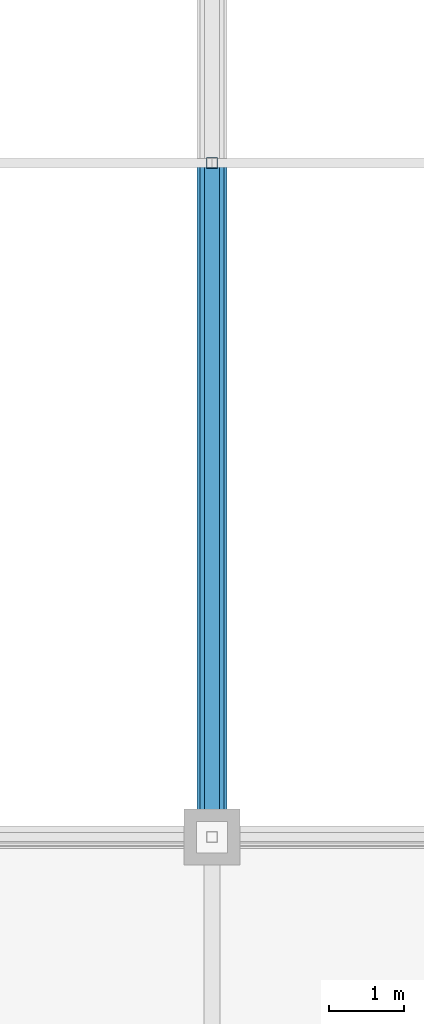
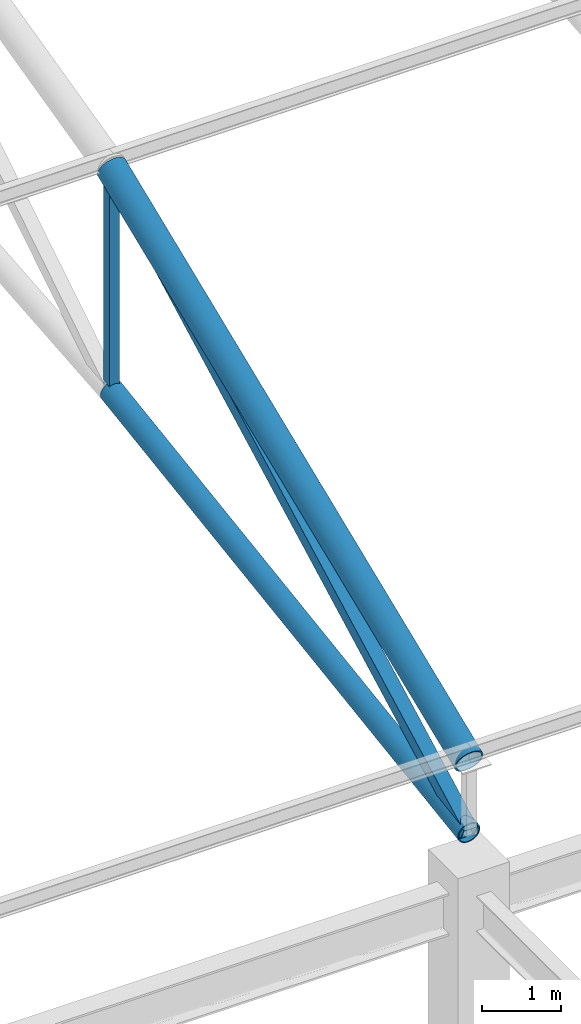
# One storey, part 35 of 223: 4 members.
"""IFC4 building model written with IfcOpenShell, lengths in metres."""

from ifc_helpers import new_model, si_unit, direction, frame, origin, origin_2d, place, context, subcontext, project, spatial, hollow_rectangle, hollow_circle, extrude, material, material_profile, profile_set, type_object, element, save


model = new_model("IFC4")

# Units and contexts
model_context = context("Model", 3, precision=1e-05, world=origin(), true_north=direction((0.0, 1.0)))
body_context = subcontext(model_context, "Body", "Model", "MODEL_VIEW")
ifc_project = project(units=[si_unit("LENGTHUNIT", "METRE"), si_unit("AREAUNIT", "SQUARE_METRE"), si_unit("VOLUMEUNIT", "CUBIC_METRE"), si_unit("PLANEANGLEUNIT", "RADIAN"), si_unit("MASSUNIT", "GRAM", prefix="KILO")], contexts=[model_context])

# Site, building, storey
site_placement = place(None, origin())
site = spatial("IfcSite", under=ifc_project, at=site_placement, CompositionType="ELEMENT")
building_placement = place(site_placement, origin())
building = spatial("IfcBuilding", under=site, at=building_placement, Name="Dornveld Trade and Exhibition Forum", CompositionType="ELEMENT")
storey_placement = place(building_placement, frame((0.0, 0.0, 6.0)))
storey = spatial("IfcBuildingStorey", under=building, at=storey_placement, Name="L01", CompositionType="ELEMENT", Elevation=6.0)

# Members
ifc_material_1 = material(Name="Steel S355J2", Category="steel")
ifc_material_profile_1 = material_profile(ifc_material_1, hollow_circle(Radius=0.161865234375, WallThickness=0.01611328125, at=origin_2d()), Name="CHS 323.9x16")
ifc_profile_set_1 = profile_set([ifc_material_profile_1], Name="Steel S355J2")
member_type_1 = type_object("IfcMemberType", Name="MEM-ARCH-BC", PredefinedType="CHORD", material=ifc_profile_set_1)
member_1_placement = place(storey_placement, frame((108.0, 108.0, 6.35009765625), z_axis=(0.0, 0.989204758987, 0.146539908551), x_axis=(-1.0, 0.0, 0.0)))
element("IfcMember", 1, at=member_1_placement, inside=storey, type_object=member_type_1, Name="H1 truss 2 tie chord 1", PredefinedType="CHORD", context=body_context, shape_type="SweptSolid", body=[
    extrude(hollow_circle(Radius=0.161865234375, WallThickness=0.01611328125, at=origin_2d()), origin(), (0.0, 0.0, 1.0), 9.09814453125),
])
ifc_material_2 = material(Name="Steel S355J2", Category="steel")
ifc_material_profile_2 = material_profile(ifc_material_2, hollow_rectangle(XDim=0.14990234375, YDim=0.14990234375, WallThickness=0.008056640625, at=origin_2d()), Name="SHS 150x150x8")
ifc_profile_set_2 = profile_set([ifc_material_profile_2], Name="Steel S355J2")
member_type_2 = type_object("IfcMemberType", Name="MEM-ARCH-STR", PredefinedType="STRUT", material=ifc_profile_set_2)
member_2_placement = place(storey_placement, frame((108.0, 117.0, 7.683349609375), z_axis=(0.0, 0.0, 1.0), x_axis=(1.0, 0.0, 0.0)))
element("IfcMember", 2, at=member_2_placement, inside=storey, type_object=member_type_2, Name="H1 truss 2 strut 2", PredefinedType="STRUT", context=body_context, shape_type="SweptSolid", body=[
    extrude(hollow_rectangle(XDim=0.14990234375, YDim=0.14990234375, WallThickness=0.008056640625, at=origin_2d()), origin(), (0.0, 0.0, 1.0), 3.433349609375),
])
ifc_material_3 = material(Name="Steel S355J2", Category="steel")
ifc_material_profile_3 = material_profile(ifc_material_3, hollow_circle(Radius=0.203125, WallThickness=0.02001953125, at=origin_2d()), Name="CHS 406.4x20")
ifc_profile_set_3 = profile_set([ifc_material_profile_3], Name="Steel S355J2")
member_type_3 = type_object("IfcMemberType", Name="MEM-ARCH-TC", PredefinedType="CHORD", material=ifc_profile_set_3)
member_3_placement = place(storey_placement, frame((108.0, 108.0, 7.449951171875), z_axis=(0.0, 0.926089433793, 0.377304069177), x_axis=(-1.0, 0.0, 0.0)))
element("IfcMember", 3, at=member_3_placement, inside=storey, type_object=member_type_3, Name="H1 truss 2 top chord 1", PredefinedType="CHORD", context=body_context, shape_type="SweptSolid", body=[
    extrude(hollow_circle(Radius=0.203125, WallThickness=0.02001953125, at=origin_2d()), origin(), (0.0, 0.0, 1.0), 9.71826171875),
])
ifc_material_4 = material(Name="Steel S355J2", Category="steel")
ifc_material_profile_4 = material_profile(ifc_material_4, hollow_rectangle(XDim=0.199951171875, YDim=0.199951171875, WallThickness=0.010009765625, at=origin_2d()), Name="SHS 200x200x10")
ifc_profile_set_4 = profile_set([ifc_material_profile_4], Name="Steel S355J2")
member_type_4 = type_object("IfcMemberType", Name="MEM-ARCH-WEB", PredefinedType="BRACE", material=ifc_profile_set_4)
member_4_placement = place(storey_placement, frame((108.0, 108.0, 6.35009765625), z_axis=(0.0, 0.883710934211, 0.468033102201), x_axis=(-1.0, 0.0, 0.0)))
element("IfcMember", 4, at=member_4_placement, inside=storey, type_object=member_type_4, Name="H1 truss 2 web 1", PredefinedType="BRACE", context=body_context, shape_type="SweptSolid", body=[
    extrude(hollow_rectangle(XDim=0.199951171875, YDim=0.199951171875, WallThickness=0.010009765625, at=origin_2d()), origin(), (0.0, 0.0, 1.0), 10.184326171875),
])

save(model, "model.ifc")
